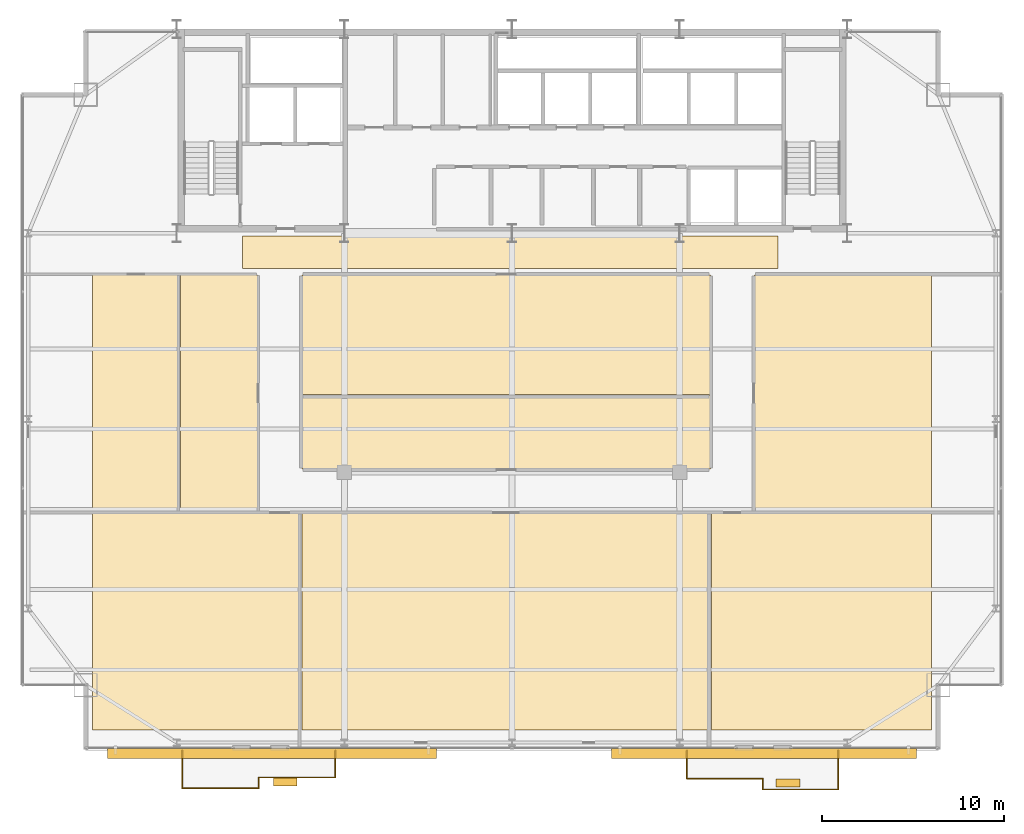
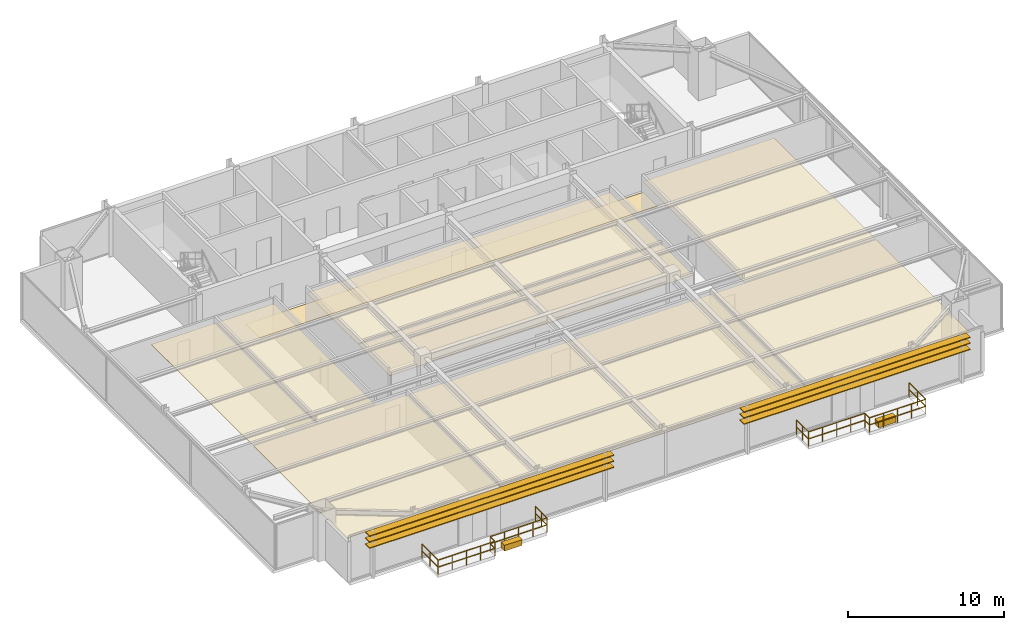
# One storey, part 30 of 31: 11 coverings, 10 railings, 6 shading devices.
"""IFC4 building model written with IfcOpenShell, lengths in metres."""

import ifcopenshell
import ifcopenshell.guid

model = None  # the IFC model being written
_history = None  # IfcOwnerHistory: only IFC2X3 demands one
_inside = {}  # id of a spatial element -> (the spatial element, [elements in it])
_under = {}  # id of a project, library or spatial element -> (it, [spatial elements below it])
_declared = {}  # id of a project -> (the project, [libraries it declares])
_typed = {}  # id of a type object -> (the type object, [elements of that type])
_made_of = {}  # id of a material, layer set ... -> (it, [elements and type objects made of it])


def new_model(schema):
    """Start an empty IFC model of exactly this schema.

    Asked for "IFC4X3", IfcOpenShell would pick the latest addendum, in which some entities
    have other attributes; the version numbers below select the first issue.
    IFC2X3 requires an IfcOwnerHistory on every rooted entity: one is made here for all.
    """
    global model, _history
    if schema == "IFC4X3":
        model = ifcopenshell.file(schema_version=(4, 3, 0, 0))
    else:
        model = ifcopenshell.file(schema=schema)
    _inside.clear()
    _under.clear()
    _declared.clear()
    _typed.clear()
    _made_of.clear()
    _history = None
    if model.schema == "IFC2X3":
        org = make("IfcOrganization", Name="unknown")
        user = make(
            "IfcPersonAndOrganization",
            ThePerson=make("IfcPerson", FamilyName="unknown"),
            TheOrganization=org,
        )
        app = make(
            "IfcApplication",
            ApplicationDeveloper=org,
            Version="unknown",
            ApplicationFullName="unknown",
            ApplicationIdentifier="unknown",
        )
        _history = make(
            "IfcOwnerHistory",
            OwningUser=user,
            OwningApplication=app,
            ChangeAction="ADDED",
            CreationDate=0,
        )
    return model


def make(cls, **values):
    """One entity of the class cls with the attributes given. An attribute that is None is left unset."""
    return model.create_entity(
        cls, **{name: value for name, value in values.items() if value is not None}
    )


def rooted(cls, **values):
    """An entity with a GlobalId (a new one), such as an element, a storey or a relation."""
    return make(cls, GlobalId=ifcopenshell.guid.new(), OwnerHistory=_history, **values)


def si_unit(unit_type, name, prefix=None):
    """IfcSIUnit, for example si_unit("LENGTHUNIT", "METRE", prefix="MILLI")."""
    return make("IfcSIUnit", UnitType=unit_type, Prefix=prefix, Name=name)


def assignment(units):
    """IfcUnitAssignment: the units of a project."""
    return None if units is None else make("IfcUnitAssignment", Units=units)


def point(xyz):
    """IfcCartesianPoint."""
    return None if xyz is None else make("IfcCartesianPoint", Coordinates=xyz)


def direction(xyz):
    """IfcDirection."""
    return None if xyz is None else make("IfcDirection", DirectionRatios=xyz)


def frame(location, z_axis=None, x_axis=None):
    """IfcAxis2Placement3D, a coordinate frame: its origin and axes. An axis left out is left unset."""
    return make(
        "IfcAxis2Placement3D",
        Location=point(location),
        Axis=direction(z_axis),
        RefDirection=direction(x_axis),
    )


def frame_2d(location, x_axis=None):
    """IfcAxis2Placement2D, a coordinate frame in the plane: its origin and x axis."""
    return make(
        "IfcAxis2Placement2D", Location=point(location), RefDirection=direction(x_axis)
    )


def origin():
    """The frame at (0, 0, 0) with its axes left unset."""
    return frame((0.0, 0.0, 0.0))


def origin_2d():
    """The frame at (0, 0) in the plane with its x axis left unset."""
    return frame_2d((0.0, 0.0))


def place(relative_to, where):
    """IfcLocalPlacement: puts the frame where relative to a parent placement (None: the world)."""
    return make(
        "IfcLocalPlacement", PlacementRelTo=relative_to, RelativePlacement=where
    )


def context(
    kind, dimensions, precision=None, world=None, true_north=None, identifier=None
):
    """IfcGeometricRepresentationContext, for example the 3D "Model" context."""
    return make(
        "IfcGeometricRepresentationContext",
        ContextIdentifier=identifier,
        ContextType=kind,
        CoordinateSpaceDimension=dimensions,
        Precision=precision,
        WorldCoordinateSystem=world,
        TrueNorth=true_north,
    )


def subcontext(parent, identifier, kind, view, scale=None):
    """IfcGeometricRepresentationSubContext, for example "Body" below "Model"."""
    return make(
        "IfcGeometricRepresentationSubContext",
        ContextIdentifier=identifier,
        ContextType=kind,
        ParentContext=parent,
        TargetScale=scale,
        TargetView=view,
    )


def project(units=None, contexts=None):
    """IfcProject with its units and contexts."""
    return rooted(
        "IfcProject",
        Name="project",
        RepresentationContexts=contexts,
        UnitsInContext=assignment(units),
    )


def spatial(cls, under=None, at=None, **own):
    """A site, building, storey or space (cls), placed at a placement, below another one or the project."""
    s = rooted(cls, ObjectPlacement=at, **own)
    if under is not None:
        _under.setdefault(under.id(), (under, []))[1].append(s)
    return s


def polyline(points):
    """IfcPolyline through the points."""
    return make("IfcPolyline", Points=[point(p) for p in points])


def profile(cls, at=None, kind="AREA", **sizes):
    """A parametric profile (cls). Its sizes go by their IFC names, for example OverallWidth=200.0."""
    return make(cls, ProfileType=kind, Position=at, **sizes)


def rectangle(**sizes):
    """IfcRectangleProfileDef."""
    return profile("IfcRectangleProfileDef", **sizes)


def outline(outer, holes=None, kind="AREA"):
    """IfcArbitraryClosedProfileDef: a profile drawn as a closed curve; with holes, ...WithVoids."""
    if holes is None:
        return make("IfcArbitraryClosedProfileDef", ProfileType=kind, OuterCurve=outer)
    return make(
        "IfcArbitraryProfileDefWithVoids",
        ProfileType=kind,
        OuterCurve=outer,
        InnerCurves=holes,
    )


def extrude(swept, where, along, depth):
    """IfcExtrudedAreaSolid: the profile swept, set in the frame where, extruded along a direction by depth."""
    return make(
        "IfcExtrudedAreaSolid",
        SweptArea=swept,
        Position=where,
        ExtrudedDirection=direction(along),
        Depth=depth,
    )


def shape(context_of_items, identifier, shape_type, items):
    """IfcShapeRepresentation: the items that make up one representation, for example the "Body"."""
    return make(
        "IfcShapeRepresentation",
        ContextOfItems=context_of_items,
        RepresentationIdentifier=identifier,
        RepresentationType=shape_type,
        Items=items,
    )


def source(mapping_origin, context_of_items, identifier, shape_type, items):
    """IfcRepresentationMap: a shape defined once, which mapped items show again and again."""
    return make(
        "IfcRepresentationMap",
        MappingOrigin=mapping_origin,
        MappedRepresentation=shape(context_of_items, identifier, shape_type, items),
    )


def transform(
    local_origin,
    x_axis=None,
    y_axis=None,
    z_axis=None,
    scale=None,
    scale2=None,
    scale3=None,
    uniform=True,
):
    """IfcCartesianTransformationOperator3D, or its non-uniform kind. x_axis, y_axis, z_axis: its Axis1, 2, 3."""
    if uniform:
        return make(
            "IfcCartesianTransformationOperator3D",
            Axis1=direction(x_axis),
            Axis2=direction(y_axis),
            LocalOrigin=point(local_origin),
            Scale=scale,
            Axis3=direction(z_axis),
        )
    return make(
        "IfcCartesianTransformationOperator3DnonUniform",
        Axis1=direction(x_axis),
        Axis2=direction(y_axis),
        LocalOrigin=point(local_origin),
        Scale=scale,
        Axis3=direction(z_axis),
        Scale2=scale2,
        Scale3=scale3,
    )


def mapped(mapping_source, mapping_target):
    """IfcMappedItem: shows the shape of a source again, moved by a transform."""
    return make(
        "IfcMappedItem", MappingSource=mapping_source, MappingTarget=mapping_target
    )


def material(Name=None, Category=None):
    """IfcMaterial."""
    return make("IfcMaterial", Name=Name, Category=Category)


def layer(
    of_material, thickness, ventilated=None, Name=None, Category=None, Priority=None
):
    """IfcMaterialLayer: one layer of a wall or slab, of a material (None: an air gap)."""
    return make(
        "IfcMaterialLayer",
        Material=of_material,
        LayerThickness=thickness,
        IsVentilated=ventilated,
        Name=Name,
        Category=Category,
        Priority=Priority,
    )


def layer_set(layers, Name=None):
    """IfcMaterialLayerSet."""
    return make("IfcMaterialLayerSet", MaterialLayers=layers, LayerSetName=Name)


def made_of(thing, what):
    """Note that an element or type object is made of a material, layer set ...; save() writes the relation."""
    if what is not None:
        _made_of.setdefault(what.id(), (what, []))[1].append(thing)
    return thing


def type_object(cls, material=None, **own):
    """A type object (cls), such as IfcWallType, which elements share."""
    return made_of(rooted(cls, **own), material)


def type_shapes(of_type, sources):
    """Give a type object the sources (RepresentationMaps) that its elements show as mapped items."""
    of_type.RepresentationMaps = sources


def element(
    cls,
    number,
    at=None,
    inside=None,
    cuts=None,
    type_object=None,
    material=None,
    context=None,
    identifier="Body",
    shape_type=None,
    held_by="IfcProductDefinitionShape",
    body=None,
    shapes=None,
    **own,
):
    """One element of the class cls, such as IfcWall. Its Tag is "e" and its number.

    at: its placement. inside: the storey or other place that contains it. cuts: it is an
    opening in that element (IfcRelVoidsElement). A single representation is given by context,
    identifier, shape_type and body (its items); several are given by shapes. held_by: the class
    of the entity that holds the representations. save() writes the other relations.
    """
    e = rooted(cls, Tag="e%d" % number, ObjectPlacement=at, **own)
    if body is not None:
        shapes = [shape(context, identifier, shape_type, body)]
    if shapes is not None:
        e.Representation = make(held_by, Representations=shapes)
    if inside is not None:
        _inside.setdefault(inside.id(), (inside, []))[1].append(e)
    if cuts is not None:
        rooted(
            "IfcRelVoidsElement", RelatingBuildingElement=cuts, RelatedOpeningElement=e
        )
    if type_object is not None:
        _typed.setdefault(type_object.id(), (type_object, []))[1].append(e)
    return made_of(e, material)


def aggregate(whole, parts):
    """IfcRelAggregates: a whole, such as a stair, and the parts it consists of."""
    return rooted("IfcRelAggregates", RelatingObject=whole, RelatedObjects=parts)


def save(model, path):
    """Write the relations noted so far, then the file.

    IfcRelAggregates (storeys below a building ...), IfcRelContainedInSpatialStructure (elements
    in a storey), IfcRelDefinesByType, IfcRelAssociatesMaterial and IfcRelDeclares: one each for
    every whole, place, type object, material and project.
    """
    for whole, parts in _under.values():
        aggregate(whole, parts)
    for where, things in _inside.values():
        rooted(
            "IfcRelContainedInSpatialStructure",
            RelatedElements=things,
            RelatingStructure=where,
        )
    for kind, things in _typed.values():
        rooted("IfcRelDefinesByType", RelatedObjects=things, RelatingType=kind)
    for what, things in _made_of.values():
        rooted("IfcRelAssociatesMaterial", RelatedObjects=things, RelatingMaterial=what)
    for by, libraries in _declared.values():
        rooted("IfcRelDeclares", RelatingContext=by, RelatedDefinitions=libraries)
    model.write(path)


model = new_model("IFC4")

# Units and contexts
model_context = context("Model", 3, precision=1e-05, world=origin(), true_north=direction((0.0, 1.0)))
body_context = subcontext(model_context, "Body", "Model", "MODEL_VIEW")
ifc_project = project(units=[si_unit("LENGTHUNIT", "METRE"), si_unit("AREAUNIT", "SQUARE_METRE"), si_unit("VOLUMEUNIT", "CUBIC_METRE"), si_unit("PLANEANGLEUNIT", "RADIAN"), si_unit("MASSUNIT", "GRAM", prefix="KILO")], contexts=[model_context])

# Site, building, storey
site_placement = place(None, origin())
site = spatial("IfcSite", under=ifc_project, at=site_placement, CompositionType="ELEMENT")
building_placement = place(site_placement, origin())
building = spatial("IfcBuilding", under=site, at=building_placement, Name="Varnel Quay Broadcast Tower", CompositionType="ELEMENT")
storey_placement = place(building_placement, frame((0.0, 0.0, 153.39990234375)))
storey = spatial("IfcBuildingStorey", under=building, at=storey_placement, Name="L37", CompositionType="ELEMENT", Elevation=153.39990234375)

# Coverings
ifc_material_1 = material(Name="Micro-Perforated Acoustic Ceiling Tile")
ifc_layer_1 = layer(ifc_material_1, 0.0400390625, Name="Micro-Perforated Acoustic Ceiling Tile")
ifc_layer_set_1 = layer_set([ifc_layer_1], Name="Micro-Perforated Acoustic Ceiling Tile")
covering_type_1 = type_object("IfcCoveringType", Name="Cov_AcousticCeiling", PredefinedType="CEILING", material=ifc_layer_set_1)
covering_1_placement = place(storey_placement, frame((0.0, 0.0, 2.580078125)))
element("IfcCovering", 1, at=covering_1_placement, inside=storey, type_object=covering_type_1, Name="L37 Editorial Huddle Room 1 Acoustic Ceiling", PredefinedType="CEILING", context=body_context, shape_type="SweptSolid", body=[
    extrude(outline(polyline([(10.985107421875, 8.324951171875), (22.39501953125, 8.324951171875), (22.39501953125, 20.235107421875), (10.985107421875, 20.235107421875), (10.985107421875, 8.324951171875)])), origin(), (0.0, 0.0, 1.0), 0.0400390625),
])
covering_2_placement = place(storey_placement, frame((0.0, 0.0, 2.580078125)))
element("IfcCovering", 2, at=covering_2_placement, inside=storey, type_object=covering_type_1, Name="L37 Journalism Training Studio 2 Acoustic Ceiling", PredefinedType="CEILING", context=body_context, shape_type="SweptSolid", body=[
    extrude(outline(polyline([(22.465087890625, 8.324951171875), (44.885009765625, 8.324951171875), (44.885009765625, 20.235107421875), (22.465087890625, 20.235107421875), (22.465087890625, 8.324951171875)])), origin(), (0.0, 0.0, 1.0), 0.0400390625),
])
covering_3_placement = place(storey_placement, frame((0.0, 0.0, 2.580078125)))
element("IfcCovering", 3, at=covering_3_placement, inside=storey, type_object=covering_type_1, Name="L37 Catering Kitchen 3 Acoustic Ceiling", PredefinedType="CEILING", context=body_context, shape_type="SweptSolid", body=[
    extrude(outline(polyline([(44.955078125, 8.324951171875), (57.014892578125, 8.324951171875), (57.014892578125, 20.235107421875), (44.955078125, 20.235107421875), (44.955078125, 8.324951171875)])), origin(), (0.0, 0.0, 1.0), 0.0400390625),
])
covering_4_placement = place(storey_placement, frame((0.0, 0.0, 2.580078125)))
element("IfcCovering", 4, at=covering_4_placement, inside=storey, type_object=covering_type_1, Name="L37 Bureau Office 4 Acoustic Ceiling", PredefinedType="CEILING", context=body_context, shape_type="SweptSolid", body=[
    extrude(outline(polyline([(10.985107421875, 20.304931640625), (15.7451171875, 20.304931640625), (15.7451171875, 33.31494140625), (10.985107421875, 33.31494140625), (10.985107421875, 20.304931640625)])), origin(), (0.0, 0.0, 1.0), 0.0400390625),
])
covering_5_placement = place(storey_placement, frame((0.0, 0.0, 2.580078125)))
element("IfcCovering", 5, at=covering_5_placement, inside=storey, type_object=covering_type_1, Name="L37 Reading Lounge 5 Acoustic Ceiling", PredefinedType="CEILING", context=body_context, shape_type="SweptSolid", body=[
    extrude(outline(polyline([(15.81494140625, 20.304931640625), (20.044921875, 20.304931640625), (20.044921875, 33.31494140625), (15.81494140625, 33.31494140625), (15.81494140625, 20.304931640625)])), origin(), (0.0, 0.0, 1.0), 0.0400390625),
])
covering_6_placement = place(storey_placement, frame((0.0, 0.0, 2.580078125)))
element("IfcCovering", 6, at=covering_6_placement, inside=storey, type_object=covering_type_1, Name="L37 Broadcast Seminar Room 6 Acoustic Ceiling", PredefinedType="CEILING", context=body_context, shape_type="SweptSolid", body=[
    extrude(outline(polyline([(22.465087890625, 22.655029296875), (44.885009765625, 22.655029296875), (44.885009765625, 26.68505859375), (22.465087890625, 26.68505859375), (22.465087890625, 22.655029296875)])), origin(), (0.0, 0.0, 1.0), 0.0400390625),
])
covering_7_placement = place(storey_placement, frame((0.0, 0.0, 2.580078125)))
element("IfcCovering", 7, at=covering_7_placement, inside=storey, type_object=covering_type_1, Name="L37 Press Briefing Room 7 Acoustic Ceiling", PredefinedType="CEILING", context=body_context, shape_type="SweptSolid", body=[
    extrude(outline(polyline([(22.465087890625, 26.7548828125), (44.885009765625, 26.7548828125), (44.885009765625, 33.31494140625), (22.465087890625, 33.31494140625), (22.465087890625, 26.7548828125)])), origin(), (0.0, 0.0, 1.0), 0.0400390625),
])
covering_8_placement = place(storey_placement, frame((0.0, 0.0, 2.580078125)))
element("IfcCovering", 8, at=covering_8_placement, inside=storey, type_object=covering_type_1, Name="L37 Editorial Huddle Room 8 Acoustic Ceiling", PredefinedType="CEILING", context=body_context, shape_type="SweptSolid", body=[
    extrude(outline(polyline([(47.304931640625, 20.304931640625), (57.014892578125, 20.304931640625), (57.014892578125, 33.31494140625), (47.304931640625, 33.31494140625), (47.304931640625, 20.304931640625)])), origin(), (0.0, 0.0, 1.0), 0.0400390625),
])
ifc_material_2 = material(Name="Polished Terrazzo & Broadcast Raised Flooring")
ifc_layer_2 = layer(ifc_material_2, 0.0400390625, Name="Polished Terrazzo & Broadcast Raised Flooring")
ifc_layer_set_2 = layer_set([ifc_layer_2], Name="Polished Terrazzo & Broadcast Raised Flooring")
covering_type_2 = type_object("IfcCoveringType", Name="Cov_TerrazzoFloor", PredefinedType="FLOORING", material=ifc_layer_set_2)
covering_9_placement = place(storey_placement, origin())
element("IfcCovering", 9, at=covering_9_placement, inside=storey, type_object=covering_type_2, Name="L37 Corridor Terrazzo Flooring", PredefinedType="FLOORING", context=body_context, shape_type="SweptSolid", body=[
    extrude(outline(polyline([(19.199951171875, 33.64990234375), (48.60009765625, 33.64990234375), (48.60009765625, 35.449951171875), (19.199951171875, 35.449951171875), (19.199951171875, 33.64990234375)])), origin(), (0.0, 0.0, 1.0), 0.0400390625),
])

# Railings
ifc_material_3 = material(Name="Anodised Bronze Aluminium 6063-T6", Category="aluminium")
railing_type = type_object("IfcRailingType", Name="Rail_Balustrade1150", PredefinedType="BALUSTRADE", material=ifc_material_3)
railing_1_placement = place(storey_placement, frame((15.909912109375, 5.1298828125, 0.0)))
element("IfcRailing", 10, at=railing_1_placement, inside=storey, type_object=railing_type, Name="L37 Terrace 1 Guard 1", PredefinedType="BALUSTRADE", context=body_context, shape_type="SweptSolid", body=[
    extrude(rectangle(XDim=0.048095703125, YDim=0.048095703125, at=origin_2d()), frame((0.0, 0.0, 1.1259765625), z_axis=(1.0, 0.0, 0.0), x_axis=(0.0, 1.0, 0.0)), (0.0, 0.0, 1.0), 4.2001953125),
    extrude(rectangle(XDim=0.048095703125, YDim=0.048095703125, at=origin_2d()), frame((0.0, 0.0, 0.574951171875), z_axis=(1.0, 0.0, 0.0), x_axis=(0.0, 1.0, 0.0)), (0.0, 0.0, 1.0), 4.2001953125),
    extrude(rectangle(XDim=0.0419921875, YDim=0.0419921875, at=origin_2d()), origin(), (0.0, 0.0, 1.0), 1.101806640625),
    extrude(rectangle(XDim=0.0419921875, YDim=0.0419921875, at=origin_2d()), frame((1.050048828125, 0.0, 0.0)), (0.0, 0.0, 1.0), 1.101806640625),
    extrude(rectangle(XDim=0.0419921875, YDim=0.0419921875, at=origin_2d()), frame((2.10009765625, 0.0, 0.0)), (0.0, 0.0, 1.0), 1.101806640625),
    extrude(rectangle(XDim=0.0419921875, YDim=0.0419921875, at=origin_2d()), frame((3.150146484375, 0.0, 0.0)), (0.0, 0.0, 1.0), 1.101806640625),
    extrude(rectangle(XDim=0.0419921875, YDim=0.0419921875, at=origin_2d()), frame((4.2001953125, 0.0, 0.0)), (0.0, 0.0, 1.0), 1.101806640625),
])
railing_2_placement = place(storey_placement, frame((20.110107421875, 5.1298828125, 0.0)))
element("IfcRailing", 11, at=railing_2_placement, inside=storey, type_object=railing_type, Name="L37 Terrace 1 Guard 2", PredefinedType="BALUSTRADE", context=body_context, shape_type="SweptSolid", body=[
    extrude(rectangle(XDim=0.048095703125, YDim=0.048095703125, at=origin_2d()), frame((0.0, 0.0, 1.1259765625), z_axis=(0.0, 1.0, 0.0), x_axis=(-1.0, 0.0, 0.0)), (0.0, 0.0, 1.0), 0.60009765625),
    extrude(rectangle(XDim=0.048095703125, YDim=0.048095703125, at=origin_2d()), frame((0.0, 0.0, 0.574951171875), z_axis=(0.0, 1.0, 0.0), x_axis=(-1.0, 0.0, 0.0)), (0.0, 0.0, 1.0), 0.60009765625),
    extrude(rectangle(XDim=0.0419921875, YDim=0.0419921875, at=origin_2d()), origin(), (0.0, 0.0, 1.0), 1.101806640625),
    extrude(rectangle(XDim=0.0419921875, YDim=0.0419921875, at=origin_2d()), frame((0.0, 0.60009765625, 0.0)), (0.0, 0.0, 1.0), 1.101806640625),
])
railing_3_placement = place(storey_placement, frame((20.110107421875, 5.72998046875, 0.0)))
element("IfcRailing", 12, at=railing_3_placement, inside=storey, type_object=railing_type, Name="L37 Terrace 1 Guard 3", PredefinedType="BALUSTRADE", context=body_context, shape_type="SweptSolid", body=[
    extrude(rectangle(XDim=0.048095703125, YDim=0.048095703125, at=origin_2d()), frame((0.0, 0.0, 1.1259765625), z_axis=(1.0, 0.0, 0.0), x_axis=(0.0, 1.0, 0.0)), (0.0, 0.0, 1.0), 4.199951171875),
    extrude(rectangle(XDim=0.048095703125, YDim=0.048095703125, at=origin_2d()), frame((0.0, 0.0, 0.574951171875), z_axis=(1.0, 0.0, 0.0), x_axis=(0.0, 1.0, 0.0)), (0.0, 0.0, 1.0), 4.199951171875),
    extrude(rectangle(XDim=0.0419921875, YDim=0.0419921875, at=origin_2d()), origin(), (0.0, 0.0, 1.0), 1.101806640625),
    extrude(rectangle(XDim=0.0419921875, YDim=0.0419921875, at=origin_2d()), frame((1.050048828125, 0.0, 0.0)), (0.0, 0.0, 1.0), 1.101806640625),
    extrude(rectangle(XDim=0.0419921875, YDim=0.0419921875, at=origin_2d()), frame((2.10009765625, 0.0, 0.0)), (0.0, 0.0, 1.0), 1.101806640625),
    extrude(rectangle(XDim=0.0419921875, YDim=0.0419921875, at=origin_2d()), frame((3.14990234375, 0.0, 0.0)), (0.0, 0.0, 1.0), 1.101806640625),
    extrude(rectangle(XDim=0.0419921875, YDim=0.0419921875, at=origin_2d()), frame((4.199951171875, 0.0, 0.0)), (0.0, 0.0, 1.0), 1.101806640625),
])
railing_4_placement = place(storey_placement, frame((24.31005859375, 5.72998046875, 0.0)))
element("IfcRailing", 13, at=railing_4_placement, inside=storey, type_object=railing_type, Name="L37 Terrace 1 Guard 4", PredefinedType="BALUSTRADE", context=body_context, shape_type="SweptSolid", body=[
    extrude(rectangle(XDim=0.048095703125, YDim=0.048095703125, at=origin_2d()), frame((0.0, 0.0, 1.1259765625), z_axis=(0.0, 1.0, 0.0), x_axis=(-1.0, 0.0, 0.0)), (0.0, 0.0, 1.0), 1.469970703125),
    extrude(rectangle(XDim=0.048095703125, YDim=0.048095703125, at=origin_2d()), frame((0.0, 0.0, 0.574951171875), z_axis=(0.0, 1.0, 0.0), x_axis=(-1.0, 0.0, 0.0)), (0.0, 0.0, 1.0), 1.469970703125),
    extrude(rectangle(XDim=0.0419921875, YDim=0.0419921875, at=origin_2d()), origin(), (0.0, 0.0, 1.0), 1.101806640625),
    extrude(rectangle(XDim=0.0419921875, YDim=0.0419921875, at=origin_2d()), frame((0.0, 0.73486328125, 0.0)), (0.0, 0.0, 1.0), 1.101806640625),
    extrude(rectangle(XDim=0.0419921875, YDim=0.0419921875, at=origin_2d()), frame((0.0, 1.469970703125, 0.0)), (0.0, 0.0, 1.0), 1.101806640625),
])
railing_5_placement = place(storey_placement, frame((15.909912109375, 7.199951171875, 0.0)))
element("IfcRailing", 14, at=railing_5_placement, inside=storey, type_object=railing_type, Name="L37 Terrace 1 Guard 6", PredefinedType="BALUSTRADE", context=body_context, shape_type="SweptSolid", body=[
    extrude(rectangle(XDim=0.048095703125, YDim=0.048095703125, at=origin_2d()), frame((0.0, 0.0, 1.1259765625), z_axis=(0.0, -1.0, 0.0), x_axis=(1.0, 0.0, 0.0)), (0.0, 0.0, 1.0), 2.070068359375),
    extrude(rectangle(XDim=0.048095703125, YDim=0.048095703125, at=origin_2d()), frame((0.0, 0.0, 0.574951171875), z_axis=(0.0, -1.0, 0.0), x_axis=(1.0, 0.0, 0.0)), (0.0, 0.0, 1.0), 2.070068359375),
    extrude(rectangle(XDim=0.0419921875, YDim=0.0419921875, at=origin_2d()), origin(), (0.0, 0.0, 1.0), 1.101806640625),
    extrude(rectangle(XDim=0.0419921875, YDim=0.0419921875, at=origin_2d()), frame((0.0, -1.03515625, 0.0)), (0.0, 0.0, 1.0), 1.101806640625),
    extrude(rectangle(XDim=0.0419921875, YDim=0.0419921875, at=origin_2d()), frame((0.0, -2.070068359375, 0.0)), (0.0, 0.0, 1.0), 1.101806640625),
])
railing_6_placement = place(storey_placement, frame((43.60009765625, 5.669921875, 0.0)))
element("IfcRailing", 15, at=railing_6_placement, inside=storey, type_object=railing_type, Name="L37 Terrace 2 Guard 1", PredefinedType="BALUSTRADE", context=body_context, shape_type="SweptSolid", body=[
    extrude(rectangle(XDim=0.048095703125, YDim=0.048095703125, at=origin_2d()), frame((0.0, 0.0, 1.1259765625), z_axis=(1.0, 0.0, 0.0), x_axis=(0.0, 1.0, 0.0)), (0.0, 0.0, 1.0), 4.15478515625),
    extrude(rectangle(XDim=0.048095703125, YDim=0.048095703125, at=origin_2d()), frame((0.0, 0.0, 0.574951171875), z_axis=(1.0, 0.0, 0.0), x_axis=(0.0, 1.0, 0.0)), (0.0, 0.0, 1.0), 4.15478515625),
    extrude(rectangle(XDim=0.0419921875, YDim=0.0419921875, at=origin_2d()), origin(), (0.0, 0.0, 1.0), 1.101806640625),
    extrude(rectangle(XDim=0.0419921875, YDim=0.0419921875, at=origin_2d()), frame((1.03857421875, 0.0, 0.0)), (0.0, 0.0, 1.0), 1.101806640625),
    extrude(rectangle(XDim=0.0419921875, YDim=0.0419921875, at=origin_2d()), frame((2.077392578125, 0.0, 0.0)), (0.0, 0.0, 1.0), 1.101806640625),
    extrude(rectangle(XDim=0.0419921875, YDim=0.0419921875, at=origin_2d()), frame((3.1162109375, 0.0, 0.0)), (0.0, 0.0, 1.0), 1.101806640625),
    extrude(rectangle(XDim=0.0419921875, YDim=0.0419921875, at=origin_2d()), frame((4.15478515625, 0.0, 0.0)), (0.0, 0.0, 1.0), 1.101806640625),
])
railing_7_placement = place(storey_placement, frame((47.7548828125, 5.669921875, 0.0)))
element("IfcRailing", 16, at=railing_7_placement, inside=storey, type_object=railing_type, Name="L37 Terrace 2 Guard 2", PredefinedType="BALUSTRADE", context=body_context, shape_type="SweptSolid", body=[
    extrude(rectangle(XDim=0.048095703125, YDim=0.048095703125, at=origin_2d()), frame((0.0, 0.0, 1.1259765625), z_axis=(0.0, -1.0, 0.0), x_axis=(1.0, 0.0, 0.0)), (0.0, 0.0, 1.0), 0.599853515625),
    extrude(rectangle(XDim=0.048095703125, YDim=0.048095703125, at=origin_2d()), frame((0.0, 0.0, 0.574951171875), z_axis=(0.0, -1.0, 0.0), x_axis=(1.0, 0.0, 0.0)), (0.0, 0.0, 1.0), 0.599853515625),
    extrude(rectangle(XDim=0.0419921875, YDim=0.0419921875, at=origin_2d()), origin(), (0.0, 0.0, 1.0), 1.101806640625),
    extrude(rectangle(XDim=0.0419921875, YDim=0.0419921875, at=origin_2d()), frame((0.0, -0.599853515625, 0.0)), (0.0, 0.0, 1.0), 1.101806640625),
])
railing_8_placement = place(storey_placement, frame((47.7548828125, 5.070068359375, 0.0)))
element("IfcRailing", 17, at=railing_8_placement, inside=storey, type_object=railing_type, Name="L37 Terrace 2 Guard 3", PredefinedType="BALUSTRADE", context=body_context, shape_type="SweptSolid", body=[
    extrude(rectangle(XDim=0.048095703125, YDim=0.048095703125, at=origin_2d()), frame((0.0, 0.0, 1.1259765625), z_axis=(1.0, 0.0, 0.0), x_axis=(0.0, 1.0, 0.0)), (0.0, 0.0, 1.0), 4.155029296875),
    extrude(rectangle(XDim=0.048095703125, YDim=0.048095703125, at=origin_2d()), frame((0.0, 0.0, 0.574951171875), z_axis=(1.0, 0.0, 0.0), x_axis=(0.0, 1.0, 0.0)), (0.0, 0.0, 1.0), 4.155029296875),
    extrude(rectangle(XDim=0.0419921875, YDim=0.0419921875, at=origin_2d()), origin(), (0.0, 0.0, 1.0), 1.101806640625),
    extrude(rectangle(XDim=0.0419921875, YDim=0.0419921875, at=origin_2d()), frame((1.038818359375, 0.0, 0.0)), (0.0, 0.0, 1.0), 1.101806640625),
    extrude(rectangle(XDim=0.0419921875, YDim=0.0419921875, at=origin_2d()), frame((2.07763671875, 0.0, 0.0)), (0.0, 0.0, 1.0), 1.101806640625),
    extrude(rectangle(XDim=0.0419921875, YDim=0.0419921875, at=origin_2d()), frame((3.1162109375, 0.0, 0.0)), (0.0, 0.0, 1.0), 1.101806640625),
    extrude(rectangle(XDim=0.0419921875, YDim=0.0419921875, at=origin_2d()), frame((4.155029296875, 0.0, 0.0)), (0.0, 0.0, 1.0), 1.101806640625),
])
railing_9_placement = place(storey_placement, frame((51.909912109375, 5.070068359375, 0.0)))
element("IfcRailing", 18, at=railing_9_placement, inside=storey, type_object=railing_type, Name="L37 Terrace 2 Guard 4", PredefinedType="BALUSTRADE", context=body_context, shape_type="SweptSolid", body=[
    extrude(rectangle(XDim=0.048095703125, YDim=0.048095703125, at=origin_2d()), frame((0.0, 0.0, 1.1259765625), z_axis=(0.0, 1.0, 0.0), x_axis=(-1.0, 0.0, 0.0)), (0.0, 0.0, 1.0), 2.1298828125),
    extrude(rectangle(XDim=0.048095703125, YDim=0.048095703125, at=origin_2d()), frame((0.0, 0.0, 0.574951171875), z_axis=(0.0, 1.0, 0.0), x_axis=(-1.0, 0.0, 0.0)), (0.0, 0.0, 1.0), 2.1298828125),
    extrude(rectangle(XDim=0.0419921875, YDim=0.0419921875, at=origin_2d()), origin(), (0.0, 0.0, 1.0), 1.101806640625),
    extrude(rectangle(XDim=0.0419921875, YDim=0.0419921875, at=origin_2d()), frame((0.0, 1.06494140625, 0.0)), (0.0, 0.0, 1.0), 1.101806640625),
    extrude(rectangle(XDim=0.0419921875, YDim=0.0419921875, at=origin_2d()), frame((0.0, 2.1298828125, 0.0)), (0.0, 0.0, 1.0), 1.101806640625),
])
railing_10_placement = place(storey_placement, frame((43.60009765625, 7.199951171875, 0.0)))
element("IfcRailing", 19, at=railing_10_placement, inside=storey, type_object=railing_type, Name="L37 Terrace 2 Guard 6", PredefinedType="BALUSTRADE", context=body_context, shape_type="SweptSolid", body=[
    extrude(rectangle(XDim=0.048095703125, YDim=0.048095703125, at=origin_2d()), frame((0.0, 0.0, 1.1259765625), z_axis=(0.0, -1.0, 0.0), x_axis=(1.0, 0.0, 0.0)), (0.0, 0.0, 1.0), 1.530029296875),
    extrude(rectangle(XDim=0.048095703125, YDim=0.048095703125, at=origin_2d()), frame((0.0, 0.0, 0.574951171875), z_axis=(0.0, -1.0, 0.0), x_axis=(1.0, 0.0, 0.0)), (0.0, 0.0, 1.0), 1.530029296875),
    extrude(rectangle(XDim=0.0419921875, YDim=0.0419921875, at=origin_2d()), origin(), (0.0, 0.0, 1.0), 1.101806640625),
    extrude(rectangle(XDim=0.0419921875, YDim=0.0419921875, at=origin_2d()), frame((0.0, -0.76513671875, 0.0)), (0.0, 0.0, 1.0), 1.101806640625),
    extrude(rectangle(XDim=0.0419921875, YDim=0.0419921875, at=origin_2d()), frame((0.0, -1.530029296875, 0.0)), (0.0, 0.0, 1.0), 1.101806640625),
])

# Coverings
ifc_material_4 = material(Name="Bronze-Terracotta Extruded Ceramic Blade", Category="masonry")
ifc_layer_3 = layer(ifc_material_4, 0.449951171875, Name="Bronze-Terracotta Extruded Ceramic Blade")
ifc_layer_set_3 = layer_set([ifc_layer_3], Name="Bronze-Terracotta Extruded Ceramic Blade")
covering_type_3 = type_object("IfcCoveringType", Name="Cov_BronzePlanter", PredefinedType="CLADDING", material=ifc_layer_set_3)
shared_shape_1 = source(origin(), body_context, "Body", "SweptSolid", [
    extrude(rectangle(XDim=1.300048828125, YDim=0.449951171875, at=origin_2d()), origin(), (0.0, 0.0, 1.0), 0.449951171875),
])
type_shapes(covering_type_3, [shared_shape_1])
for number, where, z_axis, x_axis, name in (
    (20, (21.550048828125, 5.47998046875, 0.0), (0.0, 0.0, 1.0), (1.0, 0.0, 0.0), "L37 Terrace 1 Bronze Planter"),
    (21, (49.14990234375, 5.419921875, 0.0), (0.0, 0.0, 1.0), (1.0, 0.0, 0.0), "L37 Terrace 2 Bronze Planter"),
):
    element("IfcCovering", number, at=place(storey_placement, frame(where, z_axis=z_axis, x_axis=x_axis)), inside=storey, type_object=covering_type_3, Name=name, PredefinedType="CLADDING", context=body_context, shape_type="MappedRepresentation", body=[
        mapped(shared_shape_1, transform((0.0, 0.0, 0.0), x_axis=(1.0, 0.0, 0.0), y_axis=(0.0, 1.0, 0.0), z_axis=(0.0, 0.0, 1.0), scale=1.0)),
    ])

# Shading devices
ifc_layer_4 = layer(ifc_material_4, 0.06494140625, Name="Bronze-Terracotta Extruded Ceramic Blade")
ifc_layer_set_4 = layer_set([ifc_layer_4], Name="Bronze-Terracotta Extruded Ceramic Blade")
shading_device_type = type_object("IfcShadingDeviceType", Name="Shade_LouvreBlade550", PredefinedType="JALOUSIE", material=ifc_layer_set_4)
shared_shape_2 = source(origin(), body_context, "Body", "SweptSolid", [
    extrude(rectangle(XDim=18.069091796875, YDim=0.550048828125, at=origin_2d()), origin(), (0.0, 0.0, 1.0), 0.06494140625),
])
for number, where, z_axis, x_axis, name in (
    (22, (20.833984375, 7.06005859375, 2.447509765625), (0.0, 0.0, 1.0), (1.0, 0.0, 0.0), "L37 Lobe 1 Horizontal Louvre Blade 1"),
    (23, (20.833984375, 7.06005859375, 2.927734375), (0.0, 0.0, 1.0), (1.0, 0.0, 0.0), "L37 Lobe 1 Horizontal Louvre Blade 2"),
    (24, (20.833984375, 7.06005859375, 3.3876953125), (0.0, 0.0, 1.0), (1.0, 0.0, 0.0), "L37 Lobe 1 Horizontal Louvre Blade 3"),
):
    element("IfcShadingDevice", number, at=place(storey_placement, frame(where, z_axis=z_axis, x_axis=x_axis)), inside=storey, type_object=shading_device_type, Name=name, PredefinedType="JALOUSIE", context=body_context, shape_type="MappedRepresentation", body=[
        mapped(shared_shape_2, transform((0.0, 0.0, 0.0), x_axis=(1.0, 0.0, 0.0), y_axis=(0.0, 1.0, 0.0), z_axis=(0.0, 0.0, 1.0), scale=1.0)),
    ])
shared_shape_3 = source(origin(), body_context, "Body", "SweptSolid", [
    extrude(rectangle(XDim=16.73095703125, YDim=0.550048828125, at=origin_2d()), origin(), (0.0, 0.0, 1.0), 0.06494140625),
])
type_shapes(shading_device_type, [shared_shape_2, shared_shape_3])
for number, where, z_axis, x_axis, name in (
    (25, (47.8349609375, 7.06005859375, 2.447509765625), (0.0, 0.0, 1.0), (1.0, 0.0, 0.0), "L37 Lobe 2 Horizontal Louvre Blade 1"),
    (26, (47.8349609375, 7.06005859375, 2.927734375), (0.0, 0.0, 1.0), (1.0, 0.0, 0.0), "L37 Lobe 2 Horizontal Louvre Blade 2"),
    (27, (47.8349609375, 7.06005859375, 3.3876953125), (0.0, 0.0, 1.0), (1.0, 0.0, 0.0), "L37 Lobe 2 Horizontal Louvre Blade 3"),
):
    element("IfcShadingDevice", number, at=place(storey_placement, frame(where, z_axis=z_axis, x_axis=x_axis)), inside=storey, type_object=shading_device_type, Name=name, PredefinedType="JALOUSIE", context=body_context, shape_type="MappedRepresentation", body=[
        mapped(shared_shape_3, transform((0.0, 0.0, 0.0), x_axis=(1.0, 0.0, 0.0), y_axis=(0.0, 1.0, 0.0), z_axis=(0.0, 0.0, 1.0), scale=1.0)),
    ])

save(model, "model.ifc")
